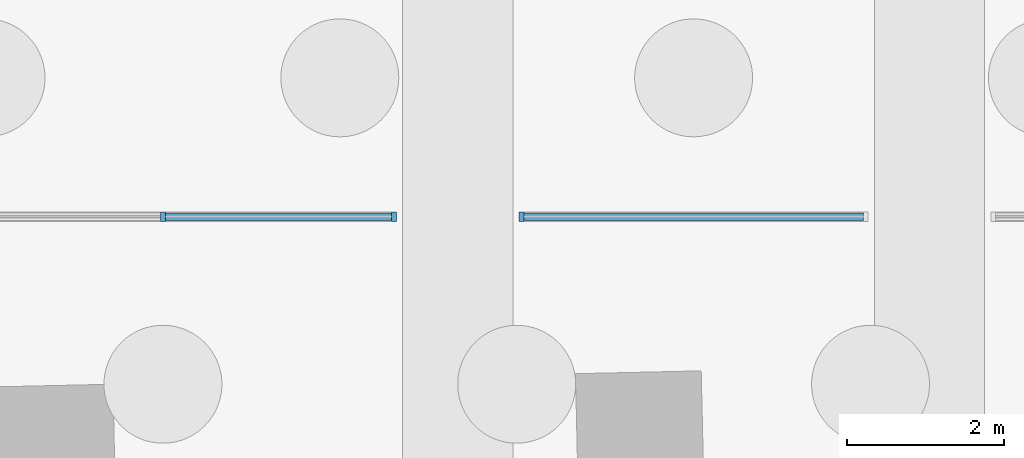
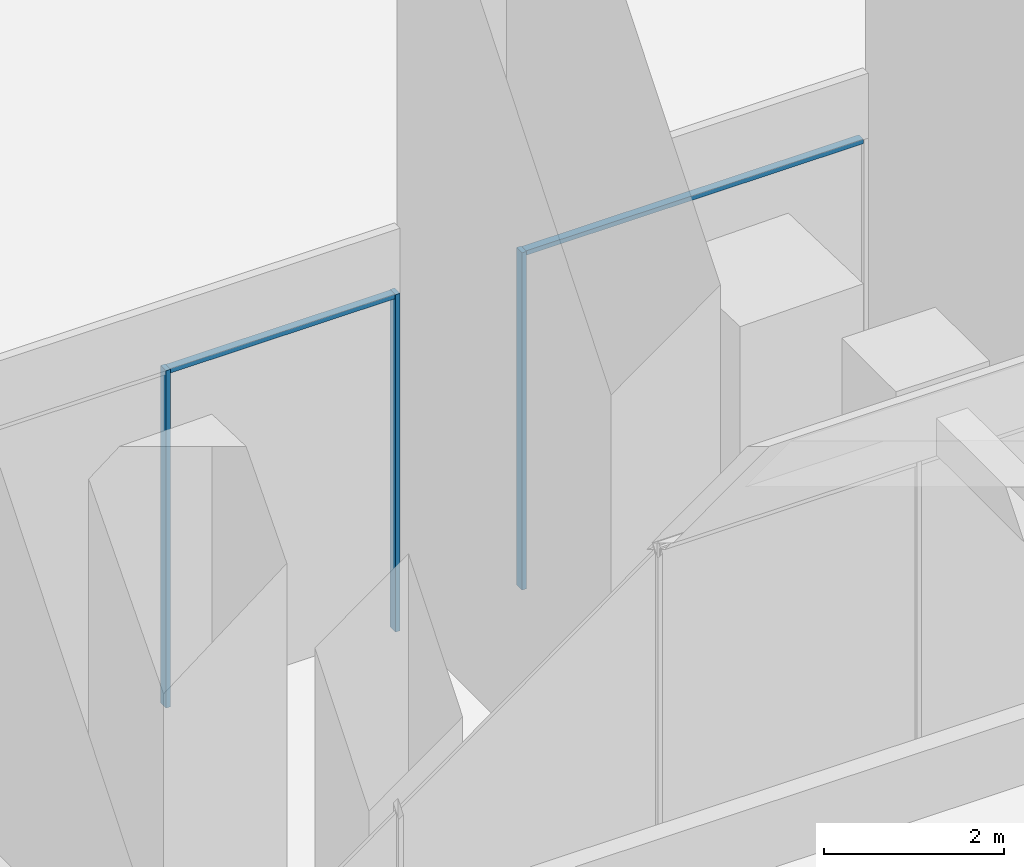
# One storey, part 18 of 46: 5 members, 2 elements without a shape of their own.
"""IFC4 building model written with IfcOpenShell, lengths in metres."""

from ifc_helpers import new_model, si_unit, direction, frame, origin, origin_2d, place, context, subcontext, project, spatial, rectangle, extrude, material, material_profile, profile_set, type_object, element, aggregate, save


model = new_model("IFC4")

# Units and contexts
model_context = context("Model", 3, precision=1e-05, world=origin(), true_north=direction((0.0, 1.0)))
body_context = subcontext(model_context, "Body", "Model", "MODEL_VIEW")
ifc_project = project(units=[si_unit("LENGTHUNIT", "METRE"), si_unit("AREAUNIT", "SQUARE_METRE"), si_unit("VOLUMEUNIT", "CUBIC_METRE"), si_unit("PLANEANGLEUNIT", "RADIAN"), si_unit("MASSUNIT", "GRAM", prefix="KILO")], contexts=[model_context])

# Site, building, storey
site_placement = place(None, origin())
site = spatial("IfcSite", under=ifc_project, at=site_placement, CompositionType="ELEMENT")
building_placement = place(site_placement, origin())
building = spatial("IfcBuilding", under=site, at=building_placement, Name="Mangrove Gate Tower", CompositionType="ELEMENT")
storey_placement = place(building_placement, origin())
storey = spatial("IfcBuildingStorey", under=building, at=storey_placement, Name="L00", CompositionType="ELEMENT", Elevation=0.0)

# Curtain wall, member
ifc_material_1 = material(Name="Aluminium and glass curtain wall", Category="aluminium")
curtain_wall_type = type_object("IfcCurtainWallType", Name="Podium shopfront glazing wall", PredefinedType="NOTDEFINED", material=ifc_material_1)
curtain_wall_1_placement = place(storey_placement, origin())
curtain_wall_1 = element("IfcCurtainWall", 1, at=curtain_wall_1_placement, inside=storey, type_object=curtain_wall_type, Name="Podium shopfront glazing N4012s1", PredefinedType="NOTDEFINED")
ifc_material_2 = material(Name="Aluminium alloy 6063-T6", Category="aluminium")
ifc_material_profile_1 = material_profile(ifc_material_2, rectangle(XDim=0.06005859375, YDim=0.1201171875, at=origin_2d()))
ifc_profile_set_1 = profile_set([ifc_material_profile_1], Name="Aluminium alloy 6063-T6")
member_type_1 = type_object("IfcMemberType", Name="Podium shopfront glazing mullion 60x120", PredefinedType="MULLION", material=ifc_profile_set_1)
member_1_placement = place(storey_placement, frame((15.81005859375, -25.14990234375, 0.0), z_axis=(0.0, 0.0, 1.0), x_axis=(-1.0, 0.0, 0.0)))
member_1 = element("IfcMember", 2, at=member_1_placement, type_object=member_type_1, Name="CWS mullion 2", PredefinedType="MULLION", context=body_context, shape_type="SweptSolid", body=[
    extrude(rectangle(XDim=0.06005859375, YDim=0.1201171875, at=origin_2d()), origin(), (0.0, 0.0, 1.0), 4.570068359375),
])

# Curtain wall, members
curtain_wall_2_placement = place(storey_placement, origin())
curtain_wall_2 = element("IfcCurtainWall", 3, at=curtain_wall_2_placement, inside=storey, type_object=curtain_wall_type, Name="Podium shopfront glazing N4013s1", PredefinedType="NOTDEFINED")
member_2_placement = place(storey_placement, frame((14.18994140625, -25.14990234375, 0.0), z_axis=(0.0, 0.0, 1.0), x_axis=(-1.0, 0.0, 0.0)))
member_2 = element("IfcMember", 4, at=member_2_placement, type_object=member_type_1, Name="CWS mullion 1", PredefinedType="MULLION", context=body_context, shape_type="SweptSolid", body=[
    extrude(rectangle(XDim=0.06005859375, YDim=0.1201171875, at=origin_2d()), origin(), (0.0, 0.0, 1.0), 4.570068359375),
])
member_3_placement = place(storey_placement, frame((11.25, -25.14990234375, 0.0), z_axis=(0.0, 0.0, 1.0), x_axis=(-1.0, 0.0, 0.0)))
member_3 = element("IfcMember", 5, at=member_3_placement, type_object=member_type_1, Name="CWS mullion 2", PredefinedType="MULLION", context=body_context, shape_type="SweptSolid", body=[
    extrude(rectangle(XDim=0.06005859375, YDim=0.1201171875, at=origin_2d()), origin(), (0.0, 0.0, 1.0), 4.570068359375),
])

# Member
ifc_material_3 = material(Name="Aluminium alloy 6063-T6", Category="aluminium")
ifc_material_profile_2 = material_profile(ifc_material_3, rectangle(XDim=0.06005859375, YDim=0.10009765625, at=origin_2d()))
ifc_profile_set_2 = profile_set([ifc_material_profile_2], Name="Aluminium alloy 6063-T6")
member_type_2 = type_object("IfcMemberType", Name="Podium shopfront glazing transom 60x100", PredefinedType="USERDEFINED", material=ifc_profile_set_2)
member_4_placement = place(storey_placement, frame((20.159912109375, -25.14990234375, 4.5400390625), z_axis=(-1.0, 0.0, 0.0), x_axis=(0.0, 0.0, 1.0)))
member_4 = element("IfcMember", 6, at=member_4_placement, type_object=member_type_2, Name="CWS transom 1.2", ObjectType="TRANSOM", PredefinedType="USERDEFINED", context=body_context, shape_type="SweptSolid", body=[
    extrude(rectangle(XDim=0.06005859375, YDim=0.10009765625, at=origin_2d()), origin(), (0.0, 0.0, 1.0), 4.31982421875),
])

aggregate(curtain_wall_1, [member_1, member_4])

member_5_placement = place(storey_placement, frame((14.159912109375, -25.14990234375, 4.5400390625), z_axis=(-1.0, 0.0, 0.0), x_axis=(0.0, 0.0, 1.0)))
member_5 = element("IfcMember", 7, at=member_5_placement, type_object=member_type_2, Name="CWS transom 1.2", ObjectType="TRANSOM", PredefinedType="USERDEFINED", context=body_context, shape_type="SweptSolid", body=[
    extrude(rectangle(XDim=0.06005859375, YDim=0.10009765625, at=origin_2d()), origin(), (0.0, 0.0, 1.0), 2.8798828125),
])

aggregate(curtain_wall_2, [member_2, member_3, member_5])

save(model, "model.ifc")
